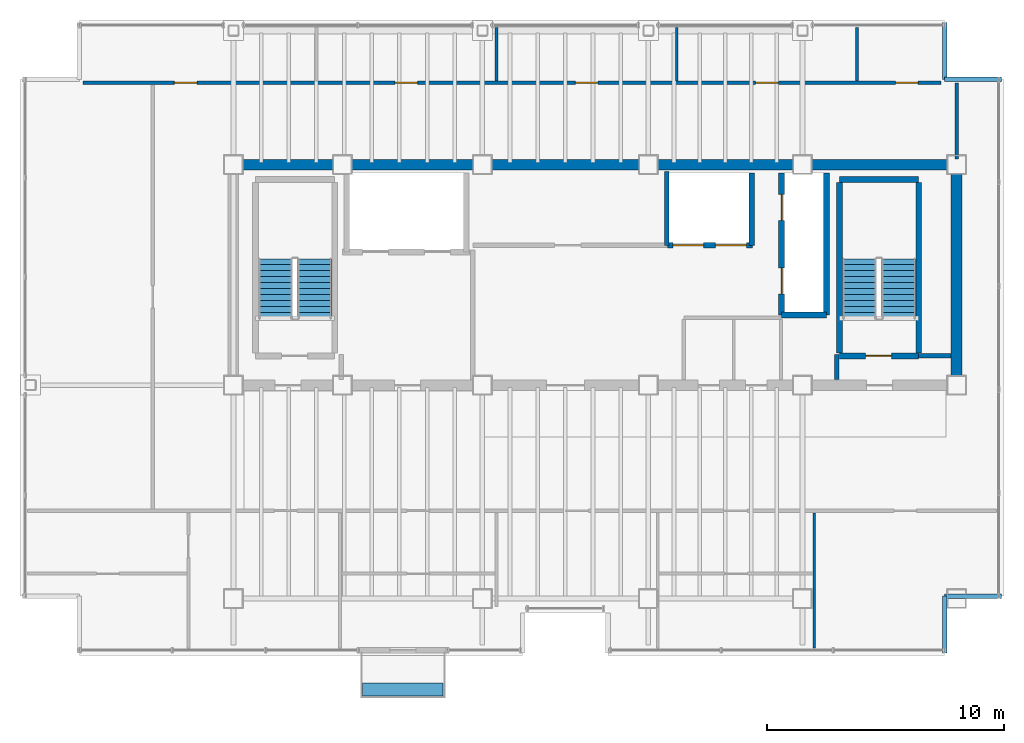
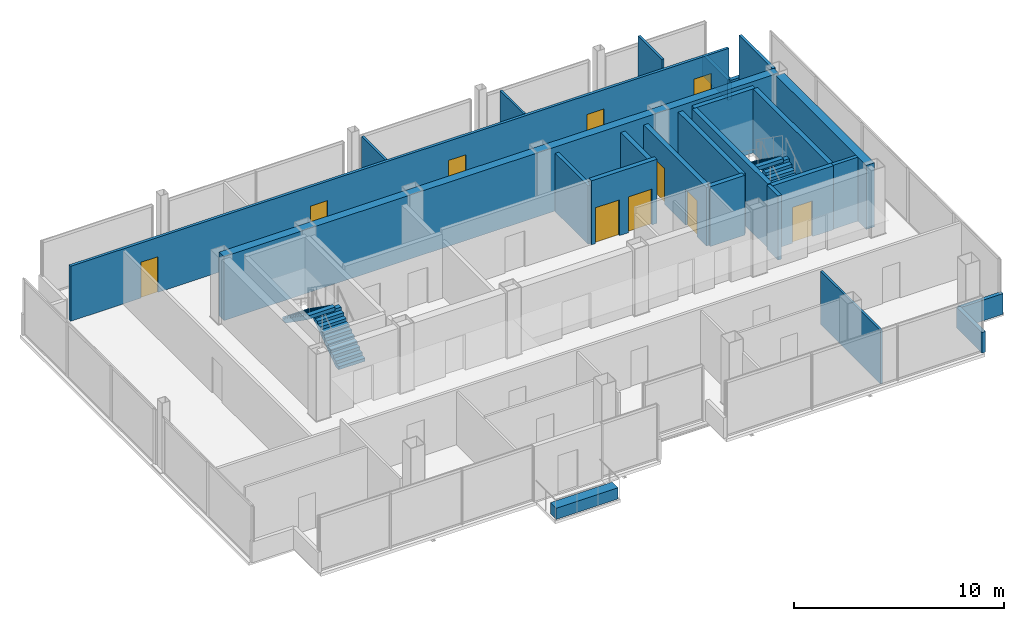
# One storey, part 15 of 16: 24 walls, 10 doors, 4 stair flights, 1 discrete accessory, 10 openings, 2 elements without a shape of their own.
"""IFC4 building model written with IfcOpenShell, lengths in metres."""

import ifcopenshell
import ifcopenshell.guid

model = None  # the IFC model being written
_history = None  # IfcOwnerHistory: only IFC2X3 demands one
_inside = {}  # id of a spatial element -> (the spatial element, [elements in it])
_under = {}  # id of a project, library or spatial element -> (it, [spatial elements below it])
_declared = {}  # id of a project -> (the project, [libraries it declares])
_typed = {}  # id of a type object -> (the type object, [elements of that type])
_made_of = {}  # id of a material, layer set ... -> (it, [elements and type objects made of it])


def new_model(schema):
    """Start an empty IFC model of exactly this schema.

    Asked for "IFC4X3", IfcOpenShell would pick the latest addendum, in which some entities
    have other attributes; the version numbers below select the first issue.
    IFC2X3 requires an IfcOwnerHistory on every rooted entity: one is made here for all.
    """
    global model, _history
    if schema == "IFC4X3":
        model = ifcopenshell.file(schema_version=(4, 3, 0, 0))
    else:
        model = ifcopenshell.file(schema=schema)
    _inside.clear()
    _under.clear()
    _declared.clear()
    _typed.clear()
    _made_of.clear()
    _history = None
    if model.schema == "IFC2X3":
        org = make("IfcOrganization", Name="unknown")
        user = make(
            "IfcPersonAndOrganization",
            ThePerson=make("IfcPerson", FamilyName="unknown"),
            TheOrganization=org,
        )
        app = make(
            "IfcApplication",
            ApplicationDeveloper=org,
            Version="unknown",
            ApplicationFullName="unknown",
            ApplicationIdentifier="unknown",
        )
        _history = make(
            "IfcOwnerHistory",
            OwningUser=user,
            OwningApplication=app,
            ChangeAction="ADDED",
            CreationDate=0,
        )
    return model


def make(cls, **values):
    """One entity of the class cls with the attributes given. An attribute that is None is left unset."""
    return model.create_entity(
        cls, **{name: value for name, value in values.items() if value is not None}
    )


def rooted(cls, **values):
    """An entity with a GlobalId (a new one), such as an element, a storey or a relation."""
    return make(cls, GlobalId=ifcopenshell.guid.new(), OwnerHistory=_history, **values)


def si_unit(unit_type, name, prefix=None):
    """IfcSIUnit, for example si_unit("LENGTHUNIT", "METRE", prefix="MILLI")."""
    return make("IfcSIUnit", UnitType=unit_type, Prefix=prefix, Name=name)


def assignment(units):
    """IfcUnitAssignment: the units of a project."""
    return None if units is None else make("IfcUnitAssignment", Units=units)


def point(xyz):
    """IfcCartesianPoint."""
    return None if xyz is None else make("IfcCartesianPoint", Coordinates=xyz)


def direction(xyz):
    """IfcDirection."""
    return None if xyz is None else make("IfcDirection", DirectionRatios=xyz)


def frame(location, z_axis=None, x_axis=None):
    """IfcAxis2Placement3D, a coordinate frame: its origin and axes. An axis left out is left unset."""
    return make(
        "IfcAxis2Placement3D",
        Location=point(location),
        Axis=direction(z_axis),
        RefDirection=direction(x_axis),
    )


def frame_2d(location, x_axis=None):
    """IfcAxis2Placement2D, a coordinate frame in the plane: its origin and x axis."""
    return make(
        "IfcAxis2Placement2D", Location=point(location), RefDirection=direction(x_axis)
    )


def origin():
    """The frame at (0, 0, 0) with its axes left unset."""
    return frame((0.0, 0.0, 0.0))


def origin_2d():
    """The frame at (0, 0) in the plane with its x axis left unset."""
    return frame_2d((0.0, 0.0))


def place(relative_to, where):
    """IfcLocalPlacement: puts the frame where relative to a parent placement (None: the world)."""
    return make(
        "IfcLocalPlacement", PlacementRelTo=relative_to, RelativePlacement=where
    )


def context(
    kind, dimensions, precision=None, world=None, true_north=None, identifier=None
):
    """IfcGeometricRepresentationContext, for example the 3D "Model" context."""
    return make(
        "IfcGeometricRepresentationContext",
        ContextIdentifier=identifier,
        ContextType=kind,
        CoordinateSpaceDimension=dimensions,
        Precision=precision,
        WorldCoordinateSystem=world,
        TrueNorth=true_north,
    )


def subcontext(parent, identifier, kind, view, scale=None):
    """IfcGeometricRepresentationSubContext, for example "Body" below "Model"."""
    return make(
        "IfcGeometricRepresentationSubContext",
        ContextIdentifier=identifier,
        ContextType=kind,
        ParentContext=parent,
        TargetScale=scale,
        TargetView=view,
    )


def project(units=None, contexts=None):
    """IfcProject with its units and contexts."""
    return rooted(
        "IfcProject",
        Name="project",
        RepresentationContexts=contexts,
        UnitsInContext=assignment(units),
    )


def spatial(cls, under=None, at=None, **own):
    """A site, building, storey or space (cls), placed at a placement, below another one or the project."""
    s = rooted(cls, ObjectPlacement=at, **own)
    if under is not None:
        _under.setdefault(under.id(), (under, []))[1].append(s)
    return s


def polyline(points):
    """IfcPolyline through the points."""
    return make("IfcPolyline", Points=[point(p) for p in points])


def profile(cls, at=None, kind="AREA", **sizes):
    """A parametric profile (cls). Its sizes go by their IFC names, for example OverallWidth=200.0."""
    return make(cls, ProfileType=kind, Position=at, **sizes)


def rectangle(**sizes):
    """IfcRectangleProfileDef."""
    return profile("IfcRectangleProfileDef", **sizes)


def outline(outer, holes=None, kind="AREA"):
    """IfcArbitraryClosedProfileDef: a profile drawn as a closed curve; with holes, ...WithVoids."""
    if holes is None:
        return make("IfcArbitraryClosedProfileDef", ProfileType=kind, OuterCurve=outer)
    return make(
        "IfcArbitraryProfileDefWithVoids",
        ProfileType=kind,
        OuterCurve=outer,
        InnerCurves=holes,
    )


def extrude(swept, where, along, depth):
    """IfcExtrudedAreaSolid: the profile swept, set in the frame where, extruded along a direction by depth."""
    return make(
        "IfcExtrudedAreaSolid",
        SweptArea=swept,
        Position=where,
        ExtrudedDirection=direction(along),
        Depth=depth,
    )


def shape(context_of_items, identifier, shape_type, items):
    """IfcShapeRepresentation: the items that make up one representation, for example the "Body"."""
    return make(
        "IfcShapeRepresentation",
        ContextOfItems=context_of_items,
        RepresentationIdentifier=identifier,
        RepresentationType=shape_type,
        Items=items,
    )


def material(Name=None, Category=None):
    """IfcMaterial."""
    return make("IfcMaterial", Name=Name, Category=Category)


def layer(
    of_material, thickness, ventilated=None, Name=None, Category=None, Priority=None
):
    """IfcMaterialLayer: one layer of a wall or slab, of a material (None: an air gap)."""
    return make(
        "IfcMaterialLayer",
        Material=of_material,
        LayerThickness=thickness,
        IsVentilated=ventilated,
        Name=Name,
        Category=Category,
        Priority=Priority,
    )


def layer_set(layers, Name=None):
    """IfcMaterialLayerSet."""
    return make("IfcMaterialLayerSet", MaterialLayers=layers, LayerSetName=Name)


def made_of(thing, what):
    """Note that an element or type object is made of a material, layer set ...; save() writes the relation."""
    if what is not None:
        _made_of.setdefault(what.id(), (what, []))[1].append(thing)
    return thing


def type_object(cls, material=None, **own):
    """A type object (cls), such as IfcWallType, which elements share."""
    return made_of(rooted(cls, **own), material)


def element(
    cls,
    number,
    at=None,
    inside=None,
    cuts=None,
    type_object=None,
    material=None,
    context=None,
    identifier="Body",
    shape_type=None,
    held_by="IfcProductDefinitionShape",
    body=None,
    shapes=None,
    **own,
):
    """One element of the class cls, such as IfcWall. Its Tag is "e" and its number.

    at: its placement. inside: the storey or other place that contains it. cuts: it is an
    opening in that element (IfcRelVoidsElement). A single representation is given by context,
    identifier, shape_type and body (its items); several are given by shapes. held_by: the class
    of the entity that holds the representations. save() writes the other relations.
    """
    e = rooted(cls, Tag="e%d" % number, ObjectPlacement=at, **own)
    if body is not None:
        shapes = [shape(context, identifier, shape_type, body)]
    if shapes is not None:
        e.Representation = make(held_by, Representations=shapes)
    if inside is not None:
        _inside.setdefault(inside.id(), (inside, []))[1].append(e)
    if cuts is not None:
        rooted(
            "IfcRelVoidsElement", RelatingBuildingElement=cuts, RelatedOpeningElement=e
        )
    if type_object is not None:
        _typed.setdefault(type_object.id(), (type_object, []))[1].append(e)
    return made_of(e, material)


def fill(opening, filler):
    """IfcRelFillsElement: the door or window that sits in an opening."""
    return rooted(
        "IfcRelFillsElement",
        RelatingOpeningElement=opening,
        RelatedBuildingElement=filler,
    )


def aggregate(whole, parts):
    """IfcRelAggregates: a whole, such as a stair, and the parts it consists of."""
    return rooted("IfcRelAggregates", RelatingObject=whole, RelatedObjects=parts)


def save(model, path):
    """Write the relations noted so far, then the file.

    IfcRelAggregates (storeys below a building ...), IfcRelContainedInSpatialStructure (elements
    in a storey), IfcRelDefinesByType, IfcRelAssociatesMaterial and IfcRelDeclares: one each for
    every whole, place, type object, material and project.
    """
    for whole, parts in _under.values():
        aggregate(whole, parts)
    for where, things in _inside.values():
        rooted(
            "IfcRelContainedInSpatialStructure",
            RelatedElements=things,
            RelatingStructure=where,
        )
    for kind, things in _typed.values():
        rooted("IfcRelDefinesByType", RelatedObjects=things, RelatingType=kind)
    for what, things in _made_of.values():
        rooted("IfcRelAssociatesMaterial", RelatedObjects=things, RelatingMaterial=what)
    for by, libraries in _declared.values():
        rooted("IfcRelDeclares", RelatingContext=by, RelatedDefinitions=libraries)
    model.write(path)


model = new_model("IFC4")

# Units and contexts
model_context = context("Model", 3, precision=1e-05, world=origin(), true_north=direction((0.0, 1.0)))
body_context = subcontext(model_context, "Body", "Model", "MODEL_VIEW")
ifc_project = project(units=[si_unit("LENGTHUNIT", "METRE"), si_unit("AREAUNIT", "SQUARE_METRE"), si_unit("VOLUMEUNIT", "CUBIC_METRE"), si_unit("PLANEANGLEUNIT", "RADIAN"), si_unit("MASSUNIT", "GRAM", prefix="KILO")], contexts=[model_context])

# Site, building, storey
site_placement = place(None, origin())
site = spatial("IfcSite", under=ifc_project, at=site_placement, CompositionType="ELEMENT")
building_placement = place(site_placement, origin())
building = spatial("IfcBuilding", under=site, at=building_placement, Name="Noeulbin Bourse Tower", CompositionType="ELEMENT")
storey_placement = place(building_placement, frame((0.0, 0.0, 269.60009765625)))
storey = spatial("IfcBuildingStorey", under=building, at=storey_placement, Name="L67", CompositionType="ELEMENT", Elevation=269.60009765625)

# Walls
ifc_material_1 = material(Name="Concrete C50/60", Category="concrete")
ifc_layer_1 = layer(ifc_material_1, 0.449951171875)
ifc_layer_set_1 = layer_set([ifc_layer_1], Name="Concrete C50/60")
wall_type_1 = type_object("IfcWallType", Name="WAL-CORE-450", PredefinedType="SHEAR", material=ifc_layer_set_1)
wall_1_placement = place(storey_placement, frame((13.5, 38.300048828125, 0.0), z_axis=(0.0, 0.0, 1.0), x_axis=(1.0, 0.0, 0.0)))
element("IfcWall", 1, at=wall_1_placement, inside=storey, type_object=wall_type_1, Name="Rear Core North Shear Wall L67", PredefinedType="SHEAR", context=body_context, shape_type="SweptSolid", body=[
    extrude(rectangle(XDim=30.5, YDim=0.449951171875, at=frame_2d((15.25, 0.0))), origin(), (0.0, 0.0, 1.0), 3.719970703125),
])
wall_2_placement = place(storey_placement, frame((44.0, 29.35009765625, 0.0), z_axis=(0.0, 0.0, 1.0), x_axis=(0.0, 1.0, 0.0)))
element("IfcWall", 2, at=wall_2_placement, inside=storey, type_object=wall_type_1, Name="Rear Core East Shear Wall L67", PredefinedType="SHEAR", context=body_context, shape_type="SweptSolid", body=[
    extrude(rectangle(XDim=8.599853515625, YDim=0.449951171875, at=frame_2d((4.2998046875, 0.0))), origin(), (0.0, 0.0, 1.0), 3.719970703125),
])
ifc_material_2 = material(Name="Concrete C40/50", Category="concrete")
ifc_layer_2 = layer(ifc_material_2, 0.199951171875)
ifc_layer_set_2 = layer_set([ifc_layer_2], Name="Concrete C40/50")
wall_type_2 = type_object("IfcWallType", Name="WAL-FIRE-200", PredefinedType="STANDARD", material=ifc_layer_set_2)
wall_3_placement = place(storey_placement, frame((42.39990234375, 30.239990234375, 0.0), z_axis=(0.0, 0.0, 1.0), x_axis=(1.0, 0.0, 0.0)))
element("IfcWall", 3, at=wall_3_placement, inside=storey, type_object=wall_type_2, Name="Interior Partition Wall L67-01", PredefinedType="STANDARD", context=body_context, shape_type="SweptSolid", body=[
    extrude(rectangle(XDim=1.364990234375, YDim=0.199951171875, at=frame_2d((0.6826171875, 0.0))), origin(), (0.0, 0.0, 1.0), 3.719970703125),
])
wall_4_placement = place(storey_placement, frame((38.949951171875, 29.235107421875, 0.0), z_axis=(0.0, 0.0, 1.0), x_axis=(0.0, 1.0, 0.0)))
element("IfcWall", 4, at=wall_4_placement, inside=storey, type_object=wall_type_2, Name="Interior Partition Wall L67-10", PredefinedType="STANDARD", context=body_context, shape_type="SweptSolid", body=[
    extrude(rectangle(XDim=1.06494140625, YDim=0.199951171875, at=frame_2d((0.532470703125, 0.0))), origin(), (0.0, 0.0, 1.0), 3.719970703125),
])
ifc_layer_3 = layer(ifc_material_2, 0.199951171875)
ifc_layer_set_3 = layer_set([ifc_layer_3], Name="Concrete C40/50")
wall_type_3 = type_object("IfcWallType", Name="WAL-PAR-200", PredefinedType="PARAPET", material=ifc_layer_set_3)
wall_5_placement = place(storey_placement, frame((43.5, 17.699951171875, 0.0), z_axis=(0.0, 0.0, 1.0), x_axis=(0.0, 1.0, 0.0)))
element("IfcWall", 5, at=wall_5_placement, inside=storey, type_object=wall_type_3, Name="Corner Notch Parapet L67-SE1", PredefinedType="PARAPET", context=body_context, shape_type="SweptSolid", body=[
    extrude(rectangle(XDim=2.400146484375, YDim=0.199951171875, at=frame_2d((1.2001953125, 0.0))), origin(), (0.0, 0.0, 1.0), 1.199951171875),
])
wall_6_placement = place(storey_placement, frame((43.5, 20.10009765625, 0.0), z_axis=(0.0, 0.0, 1.0), x_axis=(1.0, 0.0, 0.0)))
element("IfcWall", 6, at=wall_6_placement, inside=storey, type_object=wall_type_3, Name="Corner Notch Parapet L67-SE2", PredefinedType="PARAPET", context=body_context, shape_type="SweptSolid", body=[
    extrude(rectangle(XDim=2.39990234375, YDim=0.199951171875, at=frame_2d((1.199951171875, 0.0))), origin(), (0.0, 0.0, 1.0), 1.199951171875),
])
wall_7_placement = place(storey_placement, frame((43.5, 44.300048828125, 0.0), z_axis=(0.0, 0.0, 1.0), x_axis=(0.0, -1.0, 0.0)))
element("IfcWall", 7, at=wall_7_placement, inside=storey, type_object=wall_type_3, Name="Corner Notch Parapet L67-NE1", PredefinedType="PARAPET", context=body_context, shape_type="SweptSolid", body=[
    extrude(rectangle(XDim=2.400146484375, YDim=0.199951171875, at=frame_2d((1.2001953125, 0.0))), origin(), (0.0, 0.0, 1.0), 1.199951171875),
])
wall_8_placement = place(storey_placement, frame((43.5, 41.89990234375, 0.0), z_axis=(0.0, 0.0, 1.0), x_axis=(1.0, 0.0, 0.0)))
element("IfcWall", 8, at=wall_8_placement, inside=storey, type_object=wall_type_3, Name="Corner Notch Parapet L67-NE2", PredefinedType="PARAPET", context=body_context, shape_type="SweptSolid", body=[
    extrude(rectangle(XDim=2.39990234375, YDim=0.199951171875, at=frame_2d((1.199951171875, 0.0))), origin(), (0.0, 0.0, 1.0), 1.199951171875),
])
ifc_material_3 = material(Name="Steel Stud Gypsum Partition", Category="steel")
ifc_layer_4 = layer(ifc_material_3, 0.1201171875)
ifc_layer_set_4 = layer_set([ifc_layer_4], Name="Steel Stud Gypsum Partition")
wall_type_4 = type_object("IfcWallType", Name="WAL-PRT-120", PredefinedType="PARTITIONING", material=ifc_layer_set_4)
wall_9_placement = place(storey_placement, frame((38.0, 17.909912109375, 0.0), z_axis=(0.0, 0.0, 1.0), x_axis=(0.0, 1.0, 0.0)))
element("IfcWall", 9, at=wall_9_placement, inside=storey, type_object=wall_type_4, Name="Interior Partition Wall L67-20", PredefinedType="PARTITIONING", context=body_context, shape_type="SweptSolid", body=[
    extrude(rectangle(XDim=5.705078125, YDim=0.1201171875, at=frame_2d((2.8525390625, 0.0))), origin(), (0.0, 0.0, 1.0), 3.099853515625),
])
wall_10_placement = place(storey_placement, frame((24.60009765625, 41.8349609375, 0.0), z_axis=(0.0, 0.0, 1.0), x_axis=(0.0, 1.0, 0.0)))
element("IfcWall", 10, at=wall_10_placement, inside=storey, type_object=wall_type_4, Name="Interior Partition Wall L67-23", PredefinedType="PARTITIONING", context=body_context, shape_type="SweptSolid", body=[
    extrude(rectangle(XDim=2.255126953125, YDim=0.1201171875, at=frame_2d((1.12744140625, 0.0))), origin(), (0.0, 0.0, 1.0), 3.199951171875),
])
wall_11_placement = place(storey_placement, frame((32.199951171875, 41.8349609375, 0.0), z_axis=(0.0, 0.0, 1.0), x_axis=(0.0, 1.0, 0.0)))
element("IfcWall", 11, at=wall_11_placement, inside=storey, type_object=wall_type_4, Name="Interior Partition Wall L67-24", PredefinedType="PARTITIONING", context=body_context, shape_type="SweptSolid", body=[
    extrude(rectangle(XDim=2.255126953125, YDim=0.1201171875, at=frame_2d((1.12744140625, 0.0))), origin(), (0.0, 0.0, 1.0), 3.2119140625),
])
wall_12_placement = place(storey_placement, frame((39.800048828125, 41.8349609375, 0.0), z_axis=(0.0, 0.0, 1.0), x_axis=(0.0, 1.0, 0.0)))
element("IfcWall", 12, at=wall_12_placement, inside=storey, type_object=wall_type_4, Name="Interior Partition Wall L67-25", PredefinedType="PARTITIONING", context=body_context, shape_type="SweptSolid", body=[
    extrude(rectangle(XDim=2.255126953125, YDim=0.1201171875, at=frame_2d((1.12744140625, 0.0))), origin(), (0.0, 0.0, 1.0), 3.719970703125),
])

# Wall, openings, doors
ifc_material_4 = material(Name="Steel Stud Acoustic Gypsum Board", Category="steel")
ifc_layer_5 = layer(ifc_material_4, 0.14990234375)
ifc_layer_set_5 = layer_set([ifc_layer_5], Name="Steel Stud Acoustic Gypsum Board")
wall_type_5 = type_object("IfcWallType", Name="WAL-PRT-150", PredefinedType="PARTITIONING", material=ifc_layer_set_5)
wall_13_placement = place(storey_placement, frame((7.159912109375, 41.75, 0.0), z_axis=(0.0, 0.0, 1.0), x_axis=(1.0, 0.0, 0.0)))
wall_13 = element("IfcWall", 13, at=wall_13_placement, inside=storey, type_object=wall_type_5, Name="Interior Partition Wall L67-08", PredefinedType="PARTITIONING", context=body_context, shape_type="SweptSolid", body=[
    extrude(rectangle(XDim=36.18017578125, YDim=0.14990234375, at=frame_2d((18.090087890625, 0.0))), origin(), (0.0, 0.0, 1.0), 3.199951171875),
])
opening_1_placement = place(wall_13_placement, frame((3.85498046875, 0.0, 0.0)))
opening_1 = element("IfcOpeningElement", 14, at=opening_1_placement, cuts=wall_13, Name="Opening ID-09", PredefinedType="OPENING", context=body_context, shape_type="SweptSolid", body=[
    extrude(rectangle(XDim=0.949951171875, YDim=2.080078125, at=frame_2d((0.47509765625, 1.0400390625))), frame((0.0, 0.0849609375, 0.0), z_axis=(0.0, -1.0, 0.0), x_axis=(1.0, 0.0, 0.0)), (0.0, 0.0, 1.0), 0.169921875),
])
opening_2_placement = place(wall_13_placement, frame((13.1650390625, 0.0, 0.0)))
opening_2 = element("IfcOpeningElement", 15, at=opening_2_placement, cuts=wall_13, Name="Opening ID-09", PredefinedType="OPENING", context=body_context, shape_type="SweptSolid", body=[
    extrude(rectangle(XDim=0.949951171875, YDim=2.080078125, at=frame_2d((0.47509765625, 1.0400390625))), frame((0.0, 0.0849609375, 0.0), z_axis=(0.0, -1.0, 0.0), x_axis=(1.0, 0.0, 0.0)), (0.0, 0.0, 1.0), 0.169921875),
])
opening_3_placement = place(wall_13_placement, frame((20.764892578125, 0.0, 0.0)))
opening_3 = element("IfcOpeningElement", 16, at=opening_3_placement, cuts=wall_13, Name="Opening ID-09", PredefinedType="OPENING", context=body_context, shape_type="SweptSolid", body=[
    extrude(rectangle(XDim=0.949951171875, YDim=2.080078125, at=frame_2d((0.47509765625, 1.0400390625))), frame((0.0, 0.0849609375, 0.0), z_axis=(0.0, -1.0, 0.0), x_axis=(1.0, 0.0, 0.0)), (0.0, 0.0, 1.0), 0.169921875),
])
opening_4_placement = place(wall_13_placement, frame((28.364990234375, 0.0, 0.0)))
opening_4 = element("IfcOpeningElement", 17, at=opening_4_placement, cuts=wall_13, Name="Opening ID-09", PredefinedType="OPENING", context=body_context, shape_type="SweptSolid", body=[
    extrude(rectangle(XDim=0.949951171875, YDim=2.080078125, at=frame_2d((0.47509765625, 1.0400390625))), frame((0.0, 0.0849609375, 0.0), z_axis=(0.0, -1.0, 0.0), x_axis=(1.0, 0.0, 0.0)), (0.0, 0.0, 1.0), 0.169921875),
])
opening_5_placement = place(wall_13_placement, frame((34.264892578125, 0.0, 0.0)))
opening_5 = element("IfcOpeningElement", 18, at=opening_5_placement, cuts=wall_13, Name="Opening ID-09", PredefinedType="OPENING", context=body_context, shape_type="SweptSolid", body=[
    extrude(rectangle(XDim=0.949951171875, YDim=2.080078125, at=frame_2d((0.47509765625, 1.0400390625))), frame((0.0, 0.0849609375, 0.0), z_axis=(0.0, -1.0, 0.0), x_axis=(1.0, 0.0, 0.0)), (0.0, 0.0, 1.0), 0.169921875),
])
ifc_material_5 = material(Name="Acoustic Solid-Core Timber", Category="wood")
door_type_1 = type_object("IfcDoorType", Name="DR-SINGLE-950", OperationType="SINGLE_SWING_LEFT", PredefinedType="DOOR", material=ifc_material_5)
door_1_placement = place(opening_1_placement, origin())
door_1 = element("IfcDoor", 19, at=door_1_placement, inside=storey, type_object=door_type_1, Name="Interior Door L67-18", OperationType="SINGLE_SWING_RIGHT", OverallHeight=2.080078125, OverallWidth=0.949951171875, PredefinedType="DOOR", context=body_context, shape_type="SweptSolid", body=[
    extrude(rectangle(XDim=0.949951171875, YDim=2.080078125, at=frame_2d((0.47509765625, 1.0400390625))), frame((0.0, 0.02490234375, 0.0), z_axis=(0.0, -1.0, 0.0), x_axis=(1.0, 0.0, 0.0)), (0.0, 0.0, 1.0), 0.050048828125),
])
fill(opening_1, door_1)
door_2_placement = place(opening_2_placement, origin())
door_2 = element("IfcDoor", 20, at=door_2_placement, inside=storey, type_object=door_type_1, Name="Interior Door L67-19", OperationType="SINGLE_SWING_LEFT", OverallHeight=2.080078125, OverallWidth=0.949951171875, PredefinedType="DOOR", context=body_context, shape_type="SweptSolid", body=[
    extrude(rectangle(XDim=0.949951171875, YDim=2.080078125, at=frame_2d((0.47509765625, 1.0400390625))), frame((0.0, 0.02490234375, 0.0), z_axis=(0.0, -1.0, 0.0), x_axis=(1.0, 0.0, 0.0)), (0.0, 0.0, 1.0), 0.050048828125),
])
fill(opening_2, door_2)
door_3_placement = place(opening_3_placement, origin())
door_3 = element("IfcDoor", 21, at=door_3_placement, inside=storey, type_object=door_type_1, Name="Interior Door L67-20", OperationType="SINGLE_SWING_RIGHT", OverallHeight=2.080078125, OverallWidth=0.949951171875, PredefinedType="DOOR", context=body_context, shape_type="SweptSolid", body=[
    extrude(rectangle(XDim=0.949951171875, YDim=2.080078125, at=frame_2d((0.47509765625, 1.0400390625))), frame((0.0, 0.02490234375, 0.0), z_axis=(0.0, -1.0, 0.0), x_axis=(1.0, 0.0, 0.0)), (0.0, 0.0, 1.0), 0.050048828125),
])
fill(opening_3, door_3)
door_4_placement = place(opening_4_placement, origin())
door_4 = element("IfcDoor", 22, at=door_4_placement, inside=storey, type_object=door_type_1, Name="Interior Door L67-21", OperationType="SINGLE_SWING_LEFT", OverallHeight=2.080078125, OverallWidth=0.949951171875, PredefinedType="DOOR", context=body_context, shape_type="SweptSolid", body=[
    extrude(rectangle(XDim=0.949951171875, YDim=2.080078125, at=frame_2d((0.47509765625, 1.0400390625))), frame((0.0, 0.02490234375, 0.0), z_axis=(0.0, -1.0, 0.0), x_axis=(1.0, 0.0, 0.0)), (0.0, 0.0, 1.0), 0.050048828125),
])
fill(opening_4, door_4)
door_5_placement = place(opening_5_placement, origin())
door_5 = element("IfcDoor", 23, at=door_5_placement, inside=storey, type_object=door_type_1, Name="Interior Door L67-22", OperationType="SINGLE_SWING_RIGHT", OverallHeight=2.080078125, OverallWidth=0.949951171875, PredefinedType="DOOR", context=body_context, shape_type="SweptSolid", body=[
    extrude(rectangle(XDim=0.949951171875, YDim=2.080078125, at=frame_2d((0.47509765625, 1.0400390625))), frame((0.0, 0.02490234375, 0.0), z_axis=(0.0, -1.0, 0.0), x_axis=(1.0, 0.0, 0.0)), (0.0, 0.0, 1.0), 0.050048828125),
])
fill(opening_5, door_5)

# Wall
wall_14_placement = place(storey_placement, frame((44.0, 38.534912109375, 0.0), z_axis=(0.0, 0.0, 1.0), x_axis=(0.0, 1.0, 0.0)))
element("IfcWall", 24, at=wall_14_placement, inside=storey, type_object=wall_type_5, Name="Interior Partition Wall L67-21", PredefinedType="PARTITIONING", context=body_context, shape_type="SweptSolid", body=[
    extrude(rectangle(XDim=3.205078125, YDim=0.14990234375, at=frame_2d((1.6025390625, 0.0))), origin(), (0.0, 0.0, 1.0), 3.719970703125),
])

# Wall, opening, door
ifc_layer_6 = layer(ifc_material_2, 0.25)
ifc_layer_set_6 = layer_set([ifc_layer_6], Name="Concrete C40/50")
wall_type_6 = type_object("IfcWallType", Name="WAL-SHFT-250", PredefinedType="STANDARD", material=ifc_layer_set_6)
wall_15_placement = place(storey_placement, frame((39.06005859375, 30.235107421875, 0.0), z_axis=(0.0, 0.0, 1.0), x_axis=(1.0, 0.0, 0.0)))
wall_15 = element("IfcWall", 25, at=wall_15_placement, inside=storey, type_object=wall_type_6, Name="Stair ST-2 South Shaft Wall L67", PredefinedType="STANDARD", context=body_context, shape_type="SweptSolid", body=[
    extrude(rectangle(XDim=3.33984375, YDim=0.25, at=frame_2d((1.669921875, 0.0))), origin(), (0.0, 0.0, 1.0), 3.719970703125),
])
opening_6_placement = place(wall_15_placement, frame((1.10009765625, 0.0, 0.0)))
opening_6 = element("IfcOpeningElement", 26, at=opening_6_placement, cuts=wall_15, Name="Opening FD-11", PredefinedType="OPENING", context=body_context, shape_type="SweptSolid", body=[
    extrude(rectangle(XDim=1.10009765625, YDim=2.080078125, at=frame_2d((0.550048828125, 1.0400390625))), frame((0.0, 0.135009765625, 0.0), z_axis=(0.0, -1.0, 0.0), x_axis=(1.0, 0.0, 0.0)), (0.0, 0.0, 1.0), 0.27001953125),
])
ifc_material_6 = material(Name="Fire-Rated Insulated Steel", Category="steel")
door_type_2 = type_object("IfcDoorType", Name="DR-FD60-1100", OperationType="SINGLE_SWING_LEFT", PredefinedType="DOOR", material=ifc_material_6)
door_6_placement = place(opening_6_placement, origin())
door_6 = element("IfcDoor", 27, at=door_6_placement, inside=storey, type_object=door_type_2, Name="Protected Stair Entry Door ST2-L67", OperationType="SINGLE_SWING_RIGHT", OverallHeight=2.080078125, OverallWidth=1.10009765625, PredefinedType="DOOR", context=body_context, shape_type="SweptSolid", body=[
    extrude(rectangle(XDim=1.10009765625, YDim=2.080078125, at=frame_2d((0.550048828125, 1.0400390625))), frame((0.0, 0.02490234375, 0.0), z_axis=(0.0, -1.0, 0.0), x_axis=(1.0, 0.0, 0.0)), (0.0, 0.0, 1.0), 0.050048828125),
])
fill(opening_6, door_6)

# Walls
wall_16_placement = place(storey_placement, frame((39.06005859375, 37.6689453125, 0.0), z_axis=(0.0, 0.0, 1.0), x_axis=(1.0, 0.0, 0.0)))
element("IfcWall", 28, at=wall_16_placement, inside=storey, type_object=wall_type_6, Name="Stair ST-2 North Shaft Wall L67", PredefinedType="STANDARD", context=body_context, shape_type="SweptSolid", body=[
    extrude(rectangle(XDim=3.33984375, YDim=0.25, at=frame_2d((1.669921875, 0.0))), origin(), (0.0, 0.0, 1.0), 3.719970703125),
])
for number, where, z_axis, x_axis, name in (
    (29, (39.054931640625, 30.360107421875, 0.0), (0.0, 0.0, 1.0), (0.0, 1.0, 0.0), "Stair ST-2 West Shaft Wall L67"),
    (30, (42.405029296875, 30.360107421875, 0.0), (0.0, 0.0, 1.0), (0.0, 1.0, 0.0), "Stair ST-2 East Shaft Wall L67"),
):
    element("IfcWall", number, at=place(storey_placement, frame(where, z_axis=z_axis, x_axis=x_axis)), inside=storey, type_object=wall_type_6, Name=name, PredefinedType="STANDARD", context=body_context, shape_type="SweptSolid", body=[
        extrude(rectangle(XDim=7.183837890625, YDim=0.25, at=frame_2d((3.591796875, 0.0))), origin(), (0.0, 0.0, 1.0), 3.719970703125),
    ])

# Wall, openings, doors
wall_17_placement = place(storey_placement, frame((36.6201171875, 31.949951171875, 0.0), z_axis=(0.0, 0.0, 1.0), x_axis=(0.0, 1.0, 0.0)))
wall_17 = element("IfcWall", 31, at=wall_17_placement, inside=storey, type_object=wall_type_6, Name="Service Lift Shaft Wall L67", PredefinedType="STANDARD", context=body_context, shape_type="SweptSolid", body=[
    extrude(rectangle(XDim=6.0, YDim=0.25, at=frame_2d((3.0, 0.0))), origin(), (0.0, 0.0, 1.0), 3.39990234375),
])
opening_7_placement = place(wall_17_placement, frame((0.89990234375, 0.0, 0.0)))
opening_7 = element("IfcOpeningElement", 32, at=opening_7_placement, cuts=wall_17, Name="Opening LD-11", PredefinedType="OPENING", context=body_context, shape_type="SweptSolid", body=[
    extrude(rectangle(XDim=1.10009765625, YDim=2.080078125, at=frame_2d((0.550048828125, 1.0400390625))), frame((0.0, 0.135009765625, 0.0), z_axis=(0.0, -1.0, 0.0), x_axis=(1.0, 0.0, 0.0)), (0.0, 0.0, 1.0), 0.27001953125),
])
opening_8_placement = place(wall_17_placement, frame((4.0, 0.0, 0.0)))
opening_8 = element("IfcOpeningElement", 33, at=opening_8_placement, cuts=wall_17, Name="Opening LD-11", PredefinedType="OPENING", context=body_context, shape_type="SweptSolid", body=[
    extrude(rectangle(XDim=1.10009765625, YDim=2.080078125, at=frame_2d((0.550048828125, 1.0400390625))), frame((0.0, 0.135009765625, 0.0), z_axis=(0.0, -1.0, 0.0), x_axis=(1.0, 0.0, 0.0)), (0.0, 0.0, 1.0), 0.27001953125),
])
ifc_material_7 = material(Name="Brushed Stainless Steel 316", Category="steel")
door_type_3 = type_object("IfcDoorType", Name="DR-LIFT-1100", OperationType="SLIDING_TO_LEFT", PredefinedType="DOOR", material=ifc_material_7)
door_7_placement = place(opening_7_placement, origin())
door_7 = element("IfcDoor", 34, at=door_7_placement, inside=storey, type_object=door_type_3, Name="Lift Landing Door LD-EL-01-L67", OperationType="SLIDING_TO_LEFT", OverallHeight=2.080078125, OverallWidth=1.10009765625, PredefinedType="DOOR", context=body_context, shape_type="SweptSolid", body=[
    extrude(rectangle(XDim=1.10009765625, YDim=2.080078125, at=frame_2d((0.550048828125, 1.0400390625))), frame((0.0, 0.02490234375, 0.0), z_axis=(0.0, -1.0, 0.0), x_axis=(1.0, 0.0, 0.0)), (0.0, 0.0, 1.0), 0.050048828125),
])
fill(opening_7, door_7)
door_8_placement = place(opening_8_placement, origin())
door_8 = element("IfcDoor", 35, at=door_8_placement, inside=storey, type_object=door_type_3, Name="Lift Landing Door LD-SV-01-L67", OperationType="SLIDING_TO_LEFT", OverallHeight=2.080078125, OverallWidth=1.10009765625, PredefinedType="DOOR", context=body_context, shape_type="SweptSolid", body=[
    extrude(rectangle(XDim=1.10009765625, YDim=2.080078125, at=frame_2d((0.550048828125, 1.0400390625))), frame((0.0, 0.02490234375, 0.0), z_axis=(0.0, -1.0, 0.0), x_axis=(1.0, 0.0, 0.0)), (0.0, 0.0, 1.0), 0.050048828125),
])
fill(opening_8, door_8)

# Walls
wall_18_placement = place(storey_placement, frame((38.52001953125, 31.949951171875, 0.0), z_axis=(0.0, 0.0, 1.0), x_axis=(0.0, 1.0, 0.0)))
element("IfcWall", 36, at=wall_18_placement, inside=storey, type_object=wall_type_6, Name="Service Lift East Shaft Wall L67", PredefinedType="STANDARD", context=body_context, shape_type="SweptSolid", body=[
    extrude(rectangle(XDim=6.0, YDim=0.25, at=frame_2d((3.0, 0.0))), origin(), (0.0, 0.0, 1.0), 3.47998046875),
])
wall_19_placement = place(storey_placement, frame((36.6201171875, 31.949951171875, 0.0), z_axis=(0.0, 0.0, 1.0), x_axis=(1.0, 0.0, 0.0)))
element("IfcWall", 37, at=wall_19_placement, inside=storey, type_object=wall_type_6, Name="Service Lift South Shaft Wall L67", PredefinedType="STANDARD", context=body_context, shape_type="SweptSolid", body=[
    extrude(rectangle(XDim=1.89990234375, YDim=0.25, at=frame_2d((0.949951171875, 0.0))), origin(), (0.0, 0.0, 1.0), 3.47998046875),
])
wall_20_placement = place(storey_placement, frame((35.360107421875, 34.89990234375, 0.0), z_axis=(0.0, 0.0, 1.0), x_axis=(0.0, 1.0, 0.0)))
element("IfcWall", 38, at=wall_20_placement, inside=storey, type_object=wall_type_6, Name="High-Rise Lift East Shaft Wall L67", PredefinedType="STANDARD", context=body_context, shape_type="SweptSolid", body=[
    extrude(rectangle(XDim=3.050048828125, YDim=0.25, at=frame_2d((1.52490234375, 0.0))), origin(), (0.0, 0.0, 1.0), 3.39990234375),
])

# Wall, openings, doors
wall_21_placement = place(storey_placement, frame((31.800048828125, 34.89990234375, 0.0), z_axis=(0.0, 0.0, 1.0), x_axis=(1.0, 0.0, 0.0)))
wall_21 = element("IfcWall", 39, at=wall_21_placement, inside=storey, type_object=wall_type_6, Name="High-Rise Lift Bank Front L67", PredefinedType="STANDARD", context=body_context, shape_type="SweptSolid", body=[
    extrude(rectangle(XDim=3.599853515625, YDim=0.25, at=frame_2d((1.7998046875, 0.0))), origin(), (0.0, 0.0, 1.0), 3.719970703125),
])
opening_9_placement = place(wall_21_placement, frame((0.22998046875, 0.0, 0.0)))
opening_9 = element("IfcOpeningElement", 40, at=opening_9_placement, cuts=wall_21, Name="Opening LD-13", PredefinedType="OPENING", context=body_context, shape_type="SweptSolid", body=[
    extrude(rectangle(XDim=1.300048828125, YDim=2.080078125, at=frame_2d((0.64990234375, 1.0400390625))), frame((0.0, 0.135009765625, 0.0), z_axis=(0.0, -1.0, 0.0), x_axis=(1.0, 0.0, 0.0)), (0.0, 0.0, 1.0), 0.27001953125),
])
opening_10_placement = place(wall_21_placement, frame((2.030029296875, 0.0, 0.0)))
opening_10 = element("IfcOpeningElement", 41, at=opening_10_placement, cuts=wall_21, Name="Opening LD-13", PredefinedType="OPENING", context=body_context, shape_type="SweptSolid", body=[
    extrude(rectangle(XDim=1.300048828125, YDim=2.080078125, at=frame_2d((0.64990234375, 1.0400390625))), frame((0.0, 0.135009765625, 0.0), z_axis=(0.0, -1.0, 0.0), x_axis=(1.0, 0.0, 0.0)), (0.0, 0.0, 1.0), 0.27001953125),
])
door_type_4 = type_object("IfcDoorType", Name="DR-LIFT-1300", OperationType="DOUBLE_DOOR_SLIDING", PredefinedType="DOOR", material=ifc_material_7)
door_9_placement = place(opening_9_placement, origin())
door_9 = element("IfcDoor", 42, at=door_9_placement, inside=storey, type_object=door_type_4, Name="Lift Landing Door LD-PL-H1-L67", OperationType="DOUBLE_DOOR_SLIDING", OverallHeight=2.080078125, OverallWidth=1.300048828125, PredefinedType="DOOR", context=body_context, shape_type="SweptSolid", body=[
    extrude(rectangle(XDim=1.300048828125, YDim=2.080078125, at=frame_2d((0.64990234375, 1.0400390625))), frame((0.0, 0.02490234375, 0.0), z_axis=(0.0, -1.0, 0.0), x_axis=(1.0, 0.0, 0.0)), (0.0, 0.0, 1.0), 0.050048828125),
])
fill(opening_9, door_9)
door_10_placement = place(opening_10_placement, origin())
door_10 = element("IfcDoor", 43, at=door_10_placement, inside=storey, type_object=door_type_4, Name="Lift Landing Door LD-PL-H2-L67", OperationType="DOUBLE_DOOR_SLIDING", OverallHeight=2.080078125, OverallWidth=1.300048828125, PredefinedType="DOOR", context=body_context, shape_type="SweptSolid", body=[
    extrude(rectangle(XDim=1.300048828125, YDim=2.080078125, at=frame_2d((0.64990234375, 1.0400390625))), frame((0.0, 0.02490234375, 0.0), z_axis=(0.0, -1.0, 0.0), x_axis=(1.0, 0.0, 0.0)), (0.0, 0.0, 1.0), 0.050048828125),
])
fill(opening_10, door_10)

# Wall
wall_22_placement = place(storey_placement, frame((31.780029296875, 34.89990234375, 0.0), z_axis=(0.0, 0.0, 1.0), x_axis=(0.0, 1.0, 0.0)))
element("IfcWall", 44, at=wall_22_placement, inside=storey, type_object=wall_type_6, Name="Hoistway Side Shaft Wall L67-PLHW", PredefinedType="STANDARD", context=body_context, shape_type="SweptSolid", body=[
    extrude(rectangle(XDim=3.1201171875, YDim=0.199951171875, at=frame_2d((1.56005859375, 0.0))), origin(), (0.0, 0.0, 1.0), 3.39990234375),
])

# Stair, stair flights
stair_type = type_object("IfcStairType", Name="STR-CORE-1560", PredefinedType="HALF_TURN_STAIR", material=ifc_material_2)
stair_1_placement = place(storey_placement, origin())
stair_1 = element("IfcStair", 45, at=stair_1_placement, inside=storey, type_object=stair_type, Name="L67 ST-1", PredefinedType="HALF_TURN_STAIR")
stair_flight_type = type_object("IfcStairFlightType", Name="SFL-CORE-1560", PredefinedType="STRAIGHT", material=ifc_material_2)
stair_flight_1_placement = place(storey_placement, frame((16.925048828125, 31.81005859375, 0.0), z_axis=(0.0, 0.0, 1.0), x_axis=(0.0, 1.0, 0.0)))
stair_flight_1 = element("IfcStairFlight", 46, at=stair_flight_1_placement, type_object=stair_flight_type, Name="ST-1 flight 1", NumberOfRisers=11, NumberOfTreads=10, PredefinedType="STRAIGHT", RiserHeight=0.177272727, TreadLength=0.252, context=body_context, shape_type="SweptSolid", body=[
    extrude(outline(polyline([(0.0, 0.0), (0.0, 0.17724609375), (0.251953125, 0.17724609375), (0.251953125, 0.3544921875), (0.50390625, 0.3544921875), (0.50390625, 0.53173828125), (0.756103515625, 0.53173828125), (0.756103515625, 0.708984375), (1.008056640625, 0.708984375), (1.008056640625, 0.886474609375), (1.260009765625, 0.886474609375), (1.260009765625, 1.063720703125), (1.511962890625, 1.063720703125), (1.511962890625, 1.240966796875), (1.763916015625, 1.240966796875), (1.763916015625, 1.418212890625), (2.01611328125, 1.418212890625), (2.01611328125, 1.595458984375), (2.26806640625, 1.595458984375), (2.26806640625, 1.772705078125), (2.52001953125, 1.772705078125), (2.52001953125, 1.949951171875), (2.52001953125, 1.552734375), (0.312744140625, 0.0), (0.0, 0.0)])), frame((0.0, 0.72509765625, 0.0), z_axis=(0.0, -1.0, 0.0), x_axis=(1.0, 0.0, 0.0)), (0.0, 0.0, 1.0), 1.449951171875),
])
stair_flight_2_placement = place(storey_placement, frame((15.27490234375, 34.330078125, 1.949951171875), z_axis=(0.0, 0.0, 1.0), x_axis=(0.0, -1.0, 0.0)))
stair_flight_2 = element("IfcStairFlight", 47, at=stair_flight_2_placement, type_object=stair_flight_type, Name="ST-1 flight 2", NumberOfRisers=11, NumberOfTreads=10, PredefinedType="STRAIGHT", RiserHeight=0.177272727, TreadLength=0.252, context=body_context, shape_type="SweptSolid", body=[
    extrude(outline(polyline([(0.0, 0.0), (0.0, 0.17724609375), (0.251953125, 0.17724609375), (0.251953125, 0.3544921875), (0.50390625, 0.3544921875), (0.50390625, 0.53173828125), (0.756103515625, 0.53173828125), (0.756103515625, 0.708984375), (1.008056640625, 0.708984375), (1.008056640625, 0.886474609375), (1.260009765625, 0.886474609375), (1.260009765625, 1.063720703125), (1.511962890625, 1.063720703125), (1.511962890625, 1.240966796875), (1.763916015625, 1.240966796875), (1.763916015625, 1.418212890625), (2.01611328125, 1.418212890625), (2.01611328125, 1.595458984375), (2.26806640625, 1.595458984375), (2.26806640625, 1.772705078125), (2.52001953125, 1.772705078125), (2.52001953125, 1.949951171875), (2.52001953125, 1.552734375), (0.312744140625, 0.0), (0.0, 0.0)])), frame((0.0, 0.72509765625, 0.0), z_axis=(0.0, -1.0, 0.0), x_axis=(1.0, 0.0, 0.0)), (0.0, 0.0, 1.0), 1.449951171875),
])
aggregate(stair_1, [stair_flight_1, stair_flight_2])

stair_2_placement = place(storey_placement, origin())
stair_2 = element("IfcStair", 48, at=stair_2_placement, inside=storey, type_object=stair_type, Name="L67 ST-2", PredefinedType="HALF_TURN_STAIR")
stair_flight_3_placement = place(storey_placement, frame((41.554931640625, 31.81005859375, 0.0), z_axis=(0.0, 0.0, 1.0), x_axis=(0.0, 1.0, 0.0)))
stair_flight_3 = element("IfcStairFlight", 49, at=stair_flight_3_placement, type_object=stair_flight_type, Name="ST-2 flight 1", NumberOfRisers=11, NumberOfTreads=10, PredefinedType="STRAIGHT", RiserHeight=0.177272727, TreadLength=0.252, context=body_context, shape_type="SweptSolid", body=[
    extrude(outline(polyline([(0.0, 0.0), (0.0, 0.17724609375), (0.251953125, 0.17724609375), (0.251953125, 0.3544921875), (0.50390625, 0.3544921875), (0.50390625, 0.53173828125), (0.756103515625, 0.53173828125), (0.756103515625, 0.708984375), (1.008056640625, 0.708984375), (1.008056640625, 0.886474609375), (1.260009765625, 0.886474609375), (1.260009765625, 1.063720703125), (1.511962890625, 1.063720703125), (1.511962890625, 1.240966796875), (1.763916015625, 1.240966796875), (1.763916015625, 1.418212890625), (2.01611328125, 1.418212890625), (2.01611328125, 1.595458984375), (2.26806640625, 1.595458984375), (2.26806640625, 1.772705078125), (2.52001953125, 1.772705078125), (2.52001953125, 1.949951171875), (2.52001953125, 1.552734375), (0.312744140625, 0.0), (0.0, 0.0)])), frame((0.0, 0.72509765625, 0.0), z_axis=(0.0, -1.0, 0.0), x_axis=(1.0, 0.0, 0.0)), (0.0, 0.0, 1.0), 1.449951171875),
])
stair_flight_4_placement = place(storey_placement, frame((39.905029296875, 34.330078125, 1.949951171875), z_axis=(0.0, 0.0, 1.0), x_axis=(0.0, -1.0, 0.0)))
stair_flight_4 = element("IfcStairFlight", 50, at=stair_flight_4_placement, type_object=stair_flight_type, Name="ST-2 flight 2", NumberOfRisers=11, NumberOfTreads=10, PredefinedType="STRAIGHT", RiserHeight=0.177272727, TreadLength=0.252, context=body_context, shape_type="SweptSolid", body=[
    extrude(outline(polyline([(0.0, 0.0), (0.0, 0.17724609375), (0.251953125, 0.17724609375), (0.251953125, 0.3544921875), (0.50390625, 0.3544921875), (0.50390625, 0.53173828125), (0.756103515625, 0.53173828125), (0.756103515625, 0.708984375), (1.008056640625, 0.708984375), (1.008056640625, 0.886474609375), (1.260009765625, 0.886474609375), (1.260009765625, 1.063720703125), (1.511962890625, 1.063720703125), (1.511962890625, 1.240966796875), (1.763916015625, 1.240966796875), (1.763916015625, 1.418212890625), (2.01611328125, 1.418212890625), (2.01611328125, 1.595458984375), (2.26806640625, 1.595458984375), (2.26806640625, 1.772705078125), (2.52001953125, 1.772705078125), (2.52001953125, 1.949951171875), (2.52001953125, 1.552734375), (0.312744140625, 0.0), (0.0, 0.0)])), frame((0.0, 0.72509765625, 0.0), z_axis=(0.0, -1.0, 0.0), x_axis=(1.0, 0.0, 0.0)), (0.0, 0.0, 1.0), 1.449951171875),
])
aggregate(stair_2, [stair_flight_3, stair_flight_4])

# Discrete accessory
ifc_material_8 = material(Name="Architectural GFRC Concrete C40/50", Category="concrete")
ifc_layer_7 = layer(ifc_material_8, 0.64990234375)
ifc_layer_set_7 = layer_set([ifc_layer_7], Name="Architectural GFRC Concrete C40/50")
discrete_accessory_type = type_object("IfcDiscreteAccessoryType", Name="PLANTER-BOX-3600", PredefinedType="USERDEFINED", material=ifc_layer_set_7)
discrete_accessory_placement = place(storey_placement, frame((20.64990234375, 16.159912109375, 0.0), z_axis=(0.0, 0.0, 1.0), x_axis=(1.0, 0.0, 0.0)))
element("IfcDiscreteAccessory", 51, at=discrete_accessory_placement, inside=storey, type_object=discrete_accessory_type, Name="Integrated Balcony Tree Planter Box L67", ObjectType="PLANTER", PredefinedType="USERDEFINED", context=body_context, shape_type="SweptSolid", body=[
    extrude(rectangle(XDim=3.39990234375, YDim=0.550048828125, at=origin_2d()), origin(), (0.0, 0.0, 1.0), 0.64990234375),
])

save(model, "model.ifc")
